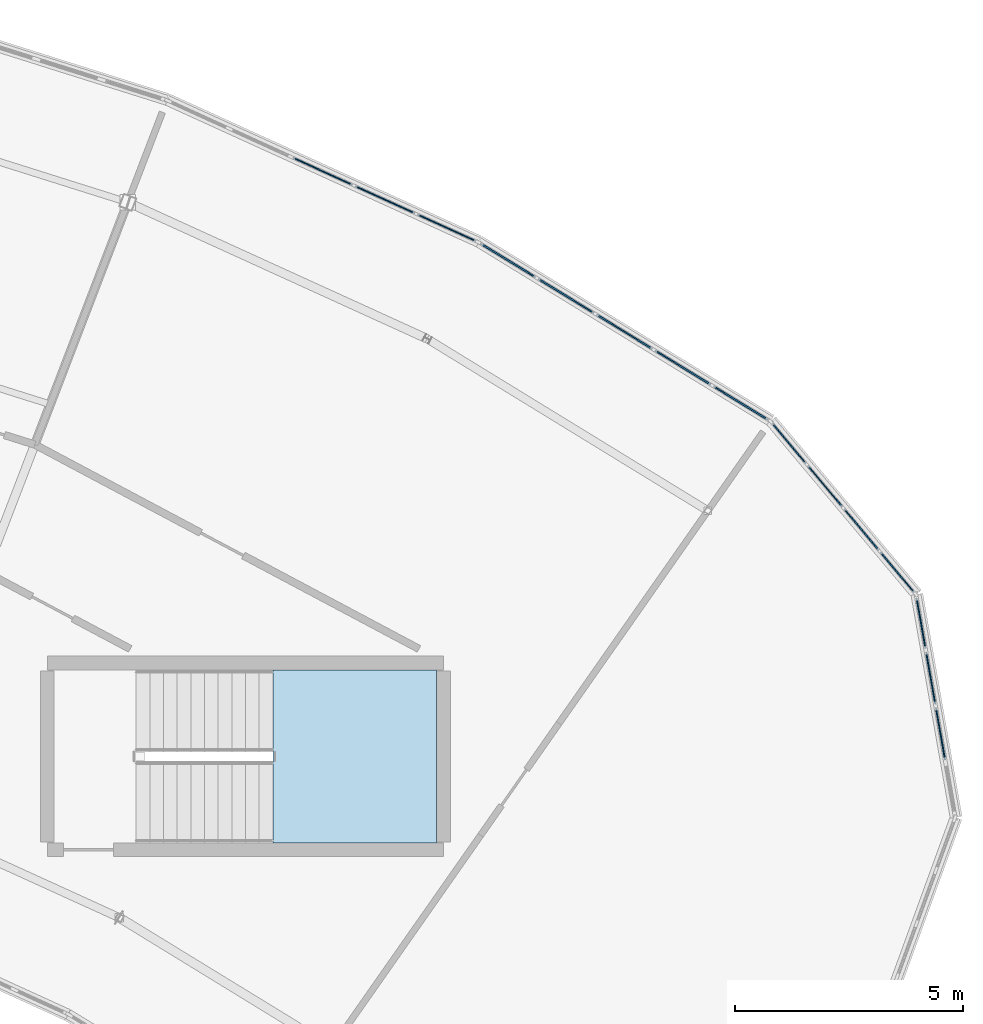
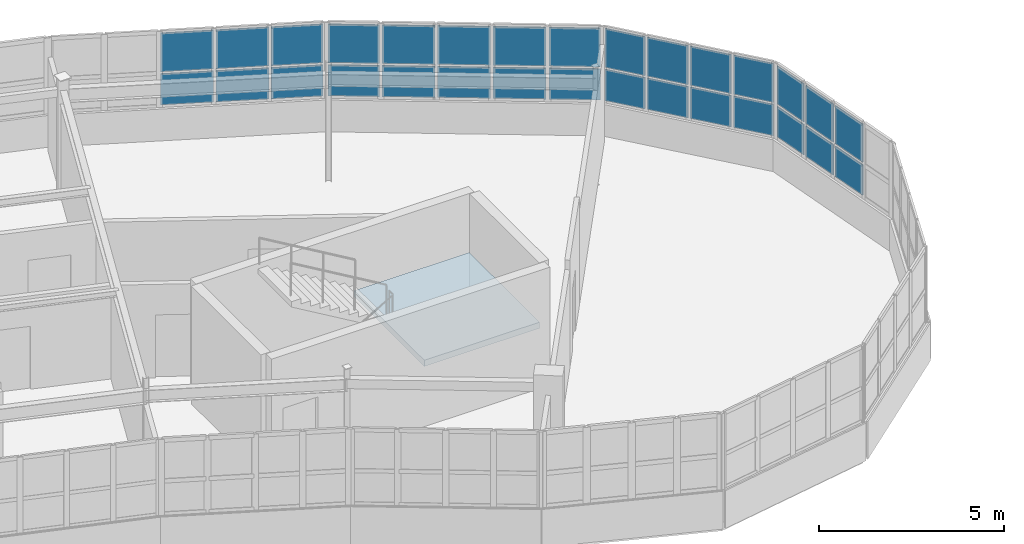
# One storey, part 44 of 65: 30 plates, 1 slab, 5 elements without a shape of their own.
"""IFC4 building model written with IfcOpenShell, lengths in metres."""

from ifc_helpers import new_model, si_unit, direction, frame, origin, origin_2d, place, context, subcontext, project, spatial, polyline, rectangle, outline, extrude, material, layer, layer_set, type_object, element, aggregate, save


model = new_model("IFC4")

# Units and contexts
model_context = context("Model", 3, precision=1e-05, world=origin(), true_north=direction((0.0, 1.0)))
body_context = subcontext(model_context, "Body", "Model", "MODEL_VIEW")
ifc_project = project(units=[si_unit("LENGTHUNIT", "METRE"), si_unit("AREAUNIT", "SQUARE_METRE"), si_unit("VOLUMEUNIT", "CUBIC_METRE"), si_unit("PLANEANGLEUNIT", "RADIAN"), si_unit("MASSUNIT", "GRAM", prefix="KILO")], contexts=[model_context])

# Site, building, storey
site_placement = place(None, origin())
site = spatial("IfcSite", under=ifc_project, at=site_placement, CompositionType="ELEMENT")
building_placement = place(site_placement, origin())
building = spatial("IfcBuilding", under=site, at=building_placement, Name="Tarnwether General Hospital", CompositionType="ELEMENT")
storey_placement = place(building_placement, frame((0.0, 0.0, 22.199951171875)))
storey = spatial("IfcBuildingStorey", under=building, at=storey_placement, Name="L05", CompositionType="ELEMENT", Elevation=22.199951171875)

# Curtain wall, plates
ifc_material_1 = material(Name="Anodised aluminium", Category="aluminium")
ifc_layer_1 = layer(ifc_material_1, 0.159912109375)
ifc_layer_set_1 = layer_set([ifc_layer_1], Name="Anodised aluminium")
curtain_wall_type_1 = type_object("IfcCurtainWallType", Name="CW-03", PredefinedType="NOTDEFINED", material=ifc_layer_set_1)
curtain_wall_1_placement = place(storey_placement, origin())
curtain_wall_1 = element("IfcCurtainWall", 1, at=curtain_wall_1_placement, inside=storey, type_object=curtain_wall_type_1, Name="Curtain Wall CWG-L05-1305_1097-0084", PredefinedType="NOTDEFINED")
ifc_material_2 = material(Name="Double glazed low-E glass", Category="glass")
ifc_layer_2 = layer(ifc_material_2, 0.028076171875)
ifc_layer_set_2 = layer_set([ifc_layer_2], Name="Double glazed low-E glass")
plate_type_1 = type_object("IfcPlateType", Name="PT-CWP1", PredefinedType="CURTAIN_PANEL", material=ifc_layer_set_2)
plate_1_placement = place(storey_placement, frame((130.63818359375, 109.021484375, 1.1298828125), z_axis=(0.0, 0.0, 1.0), x_axis=(0.173463890135, -0.984840230098, 0.0)))
plate_1 = element("IfcPlate", 2, at=plate_1_placement, type_object=plate_type_1, Name="CW-03 panel 1.1", PredefinedType="CURTAIN_PANEL", context=body_context, shape_type="SweptSolid", body=[
    extrude(rectangle(XDim=1.122314453125, YDim=0.028076171875, at=origin_2d()), origin(), (0.0, 0.0, 1.0), 1.009521484375),
])
plate_2_placement = place(storey_placement, frame((130.63818359375, 109.021484375, 2.2197265625), z_axis=(0.0, 0.0, 1.0), x_axis=(0.173463890135, -0.984840230098, 0.0)))
plate_2 = element("IfcPlate", 3, at=plate_2_placement, type_object=plate_type_1, Name="CW-03 panel 1.2", PredefinedType="CURTAIN_PANEL", context=body_context, shape_type="SweptSolid", body=[
    extrude(rectangle(XDim=1.122314453125, YDim=0.028076171875, at=origin_2d()), origin(), (0.0, 0.0, 1.0), 1.260498046875),
])
plate_3_placement = place(storey_placement, frame((130.850341796875, 107.81787109375, 1.1298828125), z_axis=(0.0, 0.0, 1.0), x_axis=(0.173463890135, -0.984840230098, 0.0)))
plate_3 = element("IfcPlate", 4, at=plate_3_placement, type_object=plate_type_1, Name="CW-03 panel 2.1", PredefinedType="CURTAIN_PANEL", context=body_context, shape_type="SweptSolid", body=[
    extrude(rectangle(XDim=1.162353515625, YDim=0.028076171875, at=origin_2d()), origin(), (0.0, 0.0, 1.0), 1.009521484375),
])
plate_4_placement = place(storey_placement, frame((130.850341796875, 107.81787109375, 2.2197265625), z_axis=(0.0, 0.0, 1.0), x_axis=(0.173463890135, -0.984840230098, 0.0)))
plate_4 = element("IfcPlate", 5, at=plate_4_placement, type_object=plate_type_1, Name="CW-03 panel 2.2", PredefinedType="CURTAIN_PANEL", context=body_context, shape_type="SweptSolid", body=[
    extrude(rectangle(XDim=1.162353515625, YDim=0.028076171875, at=origin_2d()), origin(), (0.0, 0.0, 1.0), 1.260498046875),
])
plate_5_placement = place(storey_placement, frame((131.065673828125, 106.59423828125, 1.1298828125), z_axis=(0.0, 0.0, 1.0), x_axis=(0.173463890135, -0.984840230098, 0.0)))
plate_5 = element("IfcPlate", 6, at=plate_5_placement, type_object=plate_type_1, Name="CW-03 panel 3.1", PredefinedType="CURTAIN_PANEL", context=body_context, shape_type="SweptSolid", body=[
    extrude(rectangle(XDim=1.162353515625, YDim=0.028076171875, at=origin_2d()), origin(), (0.0, 0.0, 1.0), 1.009521484375),
])
plate_6_placement = place(storey_placement, frame((131.065673828125, 106.59423828125, 2.2197265625), z_axis=(0.0, 0.0, 1.0), x_axis=(0.173463890135, -0.984840230098, 0.0)))
plate_6 = element("IfcPlate", 7, at=plate_6_placement, type_object=plate_type_1, Name="CW-03 panel 3.2", PredefinedType="CURTAIN_PANEL", context=body_context, shape_type="SweptSolid", body=[
    extrude(rectangle(XDim=1.162353515625, YDim=0.028076171875, at=origin_2d()), origin(), (0.0, 0.0, 1.0), 1.260498046875),
])
aggregate(curtain_wall_1, [plate_1, plate_2, plate_3, plate_4, plate_5, plate_6])

curtain_wall_2_placement = place(storey_placement, origin())
curtain_wall_2 = element("IfcCurtainWall", 8, at=curtain_wall_2_placement, inside=storey, type_object=curtain_wall_type_1, Name="Curtain Wall CWG-L05-1273_1135-0085", PredefinedType="NOTDEFINED")
plate_7_placement = place(storey_placement, frame((127.740966796875, 112.97265625, 1.110107421875), z_axis=(0.0, 0.0, 1.0), x_axis=(0.64285227611, -0.765990176896, 0.0)))
plate_7 = element("IfcPlate", 9, at=plate_7_placement, type_object=plate_type_1, Name="CW-03 panel 1.1", PredefinedType="CURTAIN_PANEL", context=body_context, shape_type="SweptSolid", body=[
    extrude(rectangle(XDim=1.152587890625, YDim=0.028076171875, at=origin_2d()), origin(), (0.0, 0.0, 1.0), 1.03955078125),
])
plate_8_placement = place(storey_placement, frame((127.740966796875, 112.97265625, 2.20947265625), z_axis=(0.0, 0.0, 1.0), x_axis=(0.64285227611, -0.765990176896, 0.0)))
plate_8 = element("IfcPlate", 10, at=plate_8_placement, type_object=plate_type_1, Name="CW-03 panel 1.2", PredefinedType="CURTAIN_PANEL", context=body_context, shape_type="SweptSolid", body=[
    extrude(rectangle(XDim=1.152587890625, YDim=0.028076171875, at=origin_2d()), origin(), (0.0, 0.0, 1.0), 1.29052734375),
])
plate_9_placement = place(storey_placement, frame((128.530029296875, 112.032470703125, 1.110107421875), z_axis=(0.0, 0.0, 1.0), x_axis=(0.64285227611, -0.765990176896, 0.0)))
plate_9 = element("IfcPlate", 11, at=plate_9_placement, type_object=plate_type_1, Name="CW-03 panel 2.1", PredefinedType="CURTAIN_PANEL", context=body_context, shape_type="SweptSolid", body=[
    extrude(rectangle(XDim=1.1826171875, YDim=0.028076171875, at=origin_2d()), origin(), (0.0, 0.0, 1.0), 1.03955078125),
])
plate_10_placement = place(storey_placement, frame((128.530029296875, 112.032470703125, 2.20947265625), z_axis=(0.0, 0.0, 1.0), x_axis=(0.64285227611, -0.765990176896, 0.0)))
plate_10 = element("IfcPlate", 12, at=plate_10_placement, type_object=plate_type_1, Name="CW-03 panel 2.2", PredefinedType="CURTAIN_PANEL", context=body_context, shape_type="SweptSolid", body=[
    extrude(rectangle(XDim=1.1826171875, YDim=0.028076171875, at=origin_2d()), origin(), (0.0, 0.0, 1.0), 1.29052734375),
])
plate_11_placement = place(storey_placement, frame((129.328857421875, 111.08056640625, 1.110107421875), z_axis=(0.0, 0.0, 1.0), x_axis=(0.64285227611, -0.765990176896, 0.0)))
plate_11 = element("IfcPlate", 13, at=plate_11_placement, type_object=plate_type_1, Name="CW-03 panel 3.1", PredefinedType="CURTAIN_PANEL", context=body_context, shape_type="SweptSolid", body=[
    extrude(rectangle(XDim=1.1826171875, YDim=0.028076171875, at=origin_2d()), origin(), (0.0, 0.0, 1.0), 1.03955078125),
])
plate_12_placement = place(storey_placement, frame((129.328857421875, 111.08056640625, 2.20947265625), z_axis=(0.0, 0.0, 1.0), x_axis=(0.64285227611, -0.765990176896, 0.0)))
plate_12 = element("IfcPlate", 14, at=plate_12_placement, type_object=plate_type_1, Name="CW-03 panel 3.2", PredefinedType="CURTAIN_PANEL", context=body_context, shape_type="SweptSolid", body=[
    extrude(rectangle(XDim=1.1826171875, YDim=0.028076171875, at=origin_2d()), origin(), (0.0, 0.0, 1.0), 1.29052734375),
])
plate_13_placement = place(storey_placement, frame((130.117919921875, 110.140380859375, 1.110107421875), z_axis=(0.0, 0.0, 1.0), x_axis=(0.64285227611, -0.765990176896, 0.0)))
plate_13 = element("IfcPlate", 15, at=plate_13_placement, type_object=plate_type_1, Name="CW-03 panel 4.1", PredefinedType="CURTAIN_PANEL", context=body_context, shape_type="SweptSolid", body=[
    extrude(rectangle(XDim=1.152587890625, YDim=0.028076171875, at=origin_2d()), origin(), (0.0, 0.0, 1.0), 1.03955078125),
])
plate_14_placement = place(storey_placement, frame((130.117919921875, 110.140380859375, 2.20947265625), z_axis=(0.0, 0.0, 1.0), x_axis=(0.64285227611, -0.765990176896, 0.0)))
plate_14 = element("IfcPlate", 16, at=plate_14_placement, type_object=plate_type_1, Name="CW-03 panel 4.2", PredefinedType="CURTAIN_PANEL", context=body_context, shape_type="SweptSolid", body=[
    extrude(rectangle(XDim=1.152587890625, YDim=0.028076171875, at=origin_2d()), origin(), (0.0, 0.0, 1.0), 1.29052734375),
])
aggregate(curtain_wall_2, [plate_7, plate_8, plate_9, plate_10, plate_11, plate_12, plate_13, plate_14])

ifc_material_3 = material(Name="Anodised aluminium", Category="aluminium")
ifc_layer_3 = layer(ifc_material_3, 0.159912109375)
ifc_layer_set_3 = layer_set([ifc_layer_3], Name="Anodised aluminium")
curtain_wall_type_2 = type_object("IfcCurtainWallType", Name="CW-05", PredefinedType="NOTDEFINED", material=ifc_layer_set_3)
curtain_wall_3_placement = place(storey_placement, origin())
curtain_wall_3 = element("IfcCurtainWall", 17, at=curtain_wall_3_placement, inside=storey, type_object=curtain_wall_type_2, Name="Curtain Wall CWG-L05-1141_1205-0087", PredefinedType="NOTDEFINED")
plate_15_placement = place(storey_placement, frame((117.4970703125, 118.949462890625, 1.115234375), z_axis=(0.0, 0.0, 1.0), x_axis=(0.909960793886, -0.414694289316, 0.0)))
plate_15 = element("IfcPlate", 18, at=plate_15_placement, type_object=plate_type_1, Name="CW-05 panel 3.1", PredefinedType="CURTAIN_PANEL", context=body_context, shape_type="SweptSolid", body=[
    extrude(rectangle(XDim=1.439208984375, YDim=0.028076171875, at=origin_2d()), origin(), (0.0, 0.0, 1.0), 1.031982421875),
])
plate_16_placement = place(storey_placement, frame((117.4970703125, 118.949462890625, 2.2119140625), z_axis=(0.0, 0.0, 1.0), x_axis=(0.909960793886, -0.414694289316, 0.0)))
plate_16 = element("IfcPlate", 19, at=plate_16_placement, type_object=plate_type_1, Name="CW-05 panel 3.2", PredefinedType="CURTAIN_PANEL", context=body_context, shape_type="SweptSolid", body=[
    extrude(rectangle(XDim=1.439208984375, YDim=0.028076171875, at=origin_2d()), origin(), (0.0, 0.0, 1.0), 1.282958984375),
])
plate_17_placement = place(storey_placement, frame((118.86572265625, 118.32568359375, 1.115234375), z_axis=(0.0, 0.0, 1.0), x_axis=(0.909960793886, -0.414694289316, 0.0)))
plate_17 = element("IfcPlate", 20, at=plate_17_placement, type_object=plate_type_1, Name="CW-05 panel 4.1", PredefinedType="CURTAIN_PANEL", context=body_context, shape_type="SweptSolid", body=[
    extrude(rectangle(XDim=1.439208984375, YDim=0.028076171875, at=origin_2d()), origin(), (0.0, 0.0, 1.0), 1.031982421875),
])
plate_18_placement = place(storey_placement, frame((118.86572265625, 118.32568359375, 2.2119140625), z_axis=(0.0, 0.0, 1.0), x_axis=(0.909960793886, -0.414694289316, 0.0)))
plate_18 = element("IfcPlate", 21, at=plate_18_placement, type_object=plate_type_1, Name="CW-05 panel 4.2", PredefinedType="CURTAIN_PANEL", context=body_context, shape_type="SweptSolid", body=[
    extrude(rectangle(XDim=1.439208984375, YDim=0.028076171875, at=origin_2d()), origin(), (0.0, 0.0, 1.0), 1.282958984375),
])
plate_19_placement = place(storey_placement, frame((120.2197265625, 117.708740234375, 1.115234375), z_axis=(0.0, 0.0, 1.0), x_axis=(0.909960793886, -0.414694289316, 0.0)))
plate_19 = element("IfcPlate", 22, at=plate_19_placement, type_object=plate_type_1, Name="CW-05 panel 5.1", PredefinedType="CURTAIN_PANEL", context=body_context, shape_type="SweptSolid", body=[
    extrude(rectangle(XDim=1.40673828125, YDim=0.028076171875, at=origin_2d()), origin(), (0.0, 0.0, 1.0), 1.031982421875),
])
plate_20_placement = place(storey_placement, frame((120.2197265625, 117.708740234375, 2.2119140625), z_axis=(0.0, 0.0, 1.0), x_axis=(0.909960793886, -0.414694289316, 0.0)))
plate_20 = element("IfcPlate", 23, at=plate_20_placement, type_object=plate_type_1, Name="CW-05 panel 5.2", PredefinedType="CURTAIN_PANEL", context=body_context, shape_type="SweptSolid", body=[
    extrude(rectangle(XDim=1.40673828125, YDim=0.028076171875, at=origin_2d()), origin(), (0.0, 0.0, 1.0), 1.282958984375),
])
aggregate(curtain_wall_3, [plate_15, plate_16, plate_17, plate_18, plate_19, plate_20])

curtain_wall_4_placement = place(storey_placement, origin())
curtain_wall_4 = element("IfcCurtainWall", 24, at=curtain_wall_4_placement, inside=storey, type_object=curtain_wall_type_2, Name="Curtain Wall CWG-L05-1209_1174-0086", PredefinedType="NOTDEFINED")
ifc_material_4 = material(Name="Double glazed low-E glass", Category="glass")
ifc_layer_4 = layer(ifc_material_4, 0.035888671875)
ifc_layer_set_4 = layer_set([ifc_layer_4], Name="Double glazed low-E glass")
plate_type_2 = type_object("IfcPlateType", Name="PT-CWP2", PredefinedType="CURTAIN_PANEL", material=ifc_layer_set_4)
plate_21_placement = place(storey_placement, frame((121.5751953125, 116.98779296875, 1.1201171875), z_axis=(0.0, 0.0, 1.0), x_axis=(0.852633734977, -0.522509056361, 0.0)))
plate_21 = element("IfcPlate", 25, at=plate_21_placement, type_object=plate_type_2, Name="CW-05 panel 1.1", PredefinedType="CURTAIN_PANEL", context=body_context, shape_type="SweptSolid", body=[
    extrude(rectangle(XDim=1.399169921875, YDim=0.035888671875, at=origin_2d()), origin(), (0.0, 0.0, 1.0), 1.0244140625),
])
plate_22_placement = place(storey_placement, frame((121.5751953125, 116.98779296875, 2.214599609375), z_axis=(0.0, 0.0, 1.0), x_axis=(0.852633734977, -0.522509056361, 0.0)))
plate_22 = element("IfcPlate", 26, at=plate_22_placement, type_object=plate_type_2, Name="CW-05 panel 1.2", PredefinedType="CURTAIN_PANEL", context=body_context, shape_type="SweptSolid", body=[
    extrude(rectangle(XDim=1.399169921875, YDim=0.035888671875, at=origin_2d()), origin(), (0.0, 0.0, 1.0), 1.275390625),
])
plate_23_placement = place(storey_placement, frame((122.843017578125, 116.2109375, 1.1201171875), z_axis=(0.0, 0.0, 1.0), x_axis=(0.852633734977, -0.522509056361, 0.0)))
plate_23 = element("IfcPlate", 27, at=plate_23_placement, type_object=plate_type_2, Name="CW-05 panel 2.1", PredefinedType="CURTAIN_PANEL", context=body_context, shape_type="SweptSolid", body=[
    extrude(rectangle(XDim=1.434326171875, YDim=0.035888671875, at=origin_2d()), origin(), (0.0, 0.0, 1.0), 1.0244140625),
])
plate_24_placement = place(storey_placement, frame((122.843017578125, 116.2109375, 2.214599609375), z_axis=(0.0, 0.0, 1.0), x_axis=(0.852633734977, -0.522509056361, 0.0)))
plate_24 = element("IfcPlate", 28, at=plate_24_placement, type_object=plate_type_2, Name="CW-05 panel 2.2", PredefinedType="CURTAIN_PANEL", context=body_context, shape_type="SweptSolid", body=[
    extrude(rectangle(XDim=1.434326171875, YDim=0.035888671875, at=origin_2d()), origin(), (0.0, 0.0, 1.0), 1.275390625),
])
plate_25_placement = place(storey_placement, frame((124.12548828125, 115.425048828125, 1.1201171875), z_axis=(0.0, 0.0, 1.0), x_axis=(0.852633734977, -0.522509056361, 0.0)))
plate_25 = element("IfcPlate", 29, at=plate_25_placement, type_object=plate_type_2, Name="CW-05 panel 3.1", PredefinedType="CURTAIN_PANEL", context=body_context, shape_type="SweptSolid", body=[
    extrude(rectangle(XDim=1.434326171875, YDim=0.035888671875, at=origin_2d()), origin(), (0.0, 0.0, 1.0), 1.0244140625),
])
plate_26_placement = place(storey_placement, frame((124.12548828125, 115.425048828125, 2.214599609375), z_axis=(0.0, 0.0, 1.0), x_axis=(0.852633734977, -0.522509056361, 0.0)))
plate_26 = element("IfcPlate", 30, at=plate_26_placement, type_object=plate_type_2, Name="CW-05 panel 3.2", PredefinedType="CURTAIN_PANEL", context=body_context, shape_type="SweptSolid", body=[
    extrude(rectangle(XDim=1.434326171875, YDim=0.035888671875, at=origin_2d()), origin(), (0.0, 0.0, 1.0), 1.275390625),
])
plate_27_placement = place(storey_placement, frame((125.408203125, 114.638916015625, 1.1201171875), z_axis=(0.0, 0.0, 1.0), x_axis=(0.852633734977, -0.522509056361, 0.0)))
plate_27 = element("IfcPlate", 31, at=plate_27_placement, type_object=plate_type_2, Name="CW-05 panel 4.1", PredefinedType="CURTAIN_PANEL", context=body_context, shape_type="SweptSolid", body=[
    extrude(rectangle(XDim=1.434326171875, YDim=0.035888671875, at=origin_2d()), origin(), (0.0, 0.0, 1.0), 1.0244140625),
])
plate_28_placement = place(storey_placement, frame((125.408203125, 114.638916015625, 2.214599609375), z_axis=(0.0, 0.0, 1.0), x_axis=(0.852633734977, -0.522509056361, 0.0)))
plate_28 = element("IfcPlate", 32, at=plate_28_placement, type_object=plate_type_2, Name="CW-05 panel 4.2", PredefinedType="CURTAIN_PANEL", context=body_context, shape_type="SweptSolid", body=[
    extrude(rectangle(XDim=1.434326171875, YDim=0.035888671875, at=origin_2d()), origin(), (0.0, 0.0, 1.0), 1.275390625),
])
plate_29_placement = place(storey_placement, frame((126.67578125, 113.862060546875, 1.1201171875), z_axis=(0.0, 0.0, 1.0), x_axis=(0.852633734977, -0.522509056361, 0.0)))
plate_29 = element("IfcPlate", 33, at=plate_29_placement, type_object=plate_type_2, Name="CW-05 panel 5.1", PredefinedType="CURTAIN_PANEL", context=body_context, shape_type="SweptSolid", body=[
    extrude(rectangle(XDim=1.399169921875, YDim=0.035888671875, at=origin_2d()), origin(), (0.0, 0.0, 1.0), 1.0244140625),
])
plate_30_placement = place(storey_placement, frame((126.67578125, 113.862060546875, 2.214599609375), z_axis=(0.0, 0.0, 1.0), x_axis=(0.852633734977, -0.522509056361, 0.0)))
plate_30 = element("IfcPlate", 34, at=plate_30_placement, type_object=plate_type_2, Name="CW-05 panel 5.2", PredefinedType="CURTAIN_PANEL", context=body_context, shape_type="SweptSolid", body=[
    extrude(rectangle(XDim=1.399169921875, YDim=0.035888671875, at=origin_2d()), origin(), (0.0, 0.0, 1.0), 1.275390625),
])
aggregate(curtain_wall_4, [plate_21, plate_22, plate_23, plate_24, plate_25, plate_26, plate_27, plate_28, plate_29, plate_30])

# Stair, slab
ifc_material_5 = material(Name="Concrete 40 MPa", Category="concrete")
stair_type = type_object("IfcStairType", Name="ST-DL39B", PredefinedType="HALF_TURN_STAIR", material=ifc_material_5)
stair_placement = place(storey_placement, origin())
stair = element("IfcStair", 35, at=stair_placement, inside=storey, type_object=stair_type, Name="L05 Exit Stair ST-08", PredefinedType="HALF_TURN_STAIR")
ifc_material_6 = material(Name="Concrete 40 MPa", Category="concrete")
ifc_layer_5 = layer(ifc_material_6, 0.199951171875)
ifc_layer_set_5 = layer_set([ifc_layer_5], Name="Concrete 40 MPa")
slab_type = type_object("IfcSlabType", Name="SL-LD200", PredefinedType="LANDING", material=ifc_layer_set_5)
slab_placement = place(storey_placement, frame((0.0, 0.0, 1.75)))
slab = element("IfcSlab", 36, at=slab_placement, type_object=slab_type, Name="ST-08 landing 1", PredefinedType="LANDING", context=body_context, shape_type="SweptSolid", body=[
    extrude(outline(polyline([(116.39990234375, 104.199951171875), (120.0, 104.199951171875), (120.0, 108.0), (116.39990234375, 108.0), (116.39990234375, 104.199951171875)])), origin(), (0.0, 0.0, 1.0), 0.199951171875),
])
aggregate(stair, [slab])

save(model, "model.ifc")
